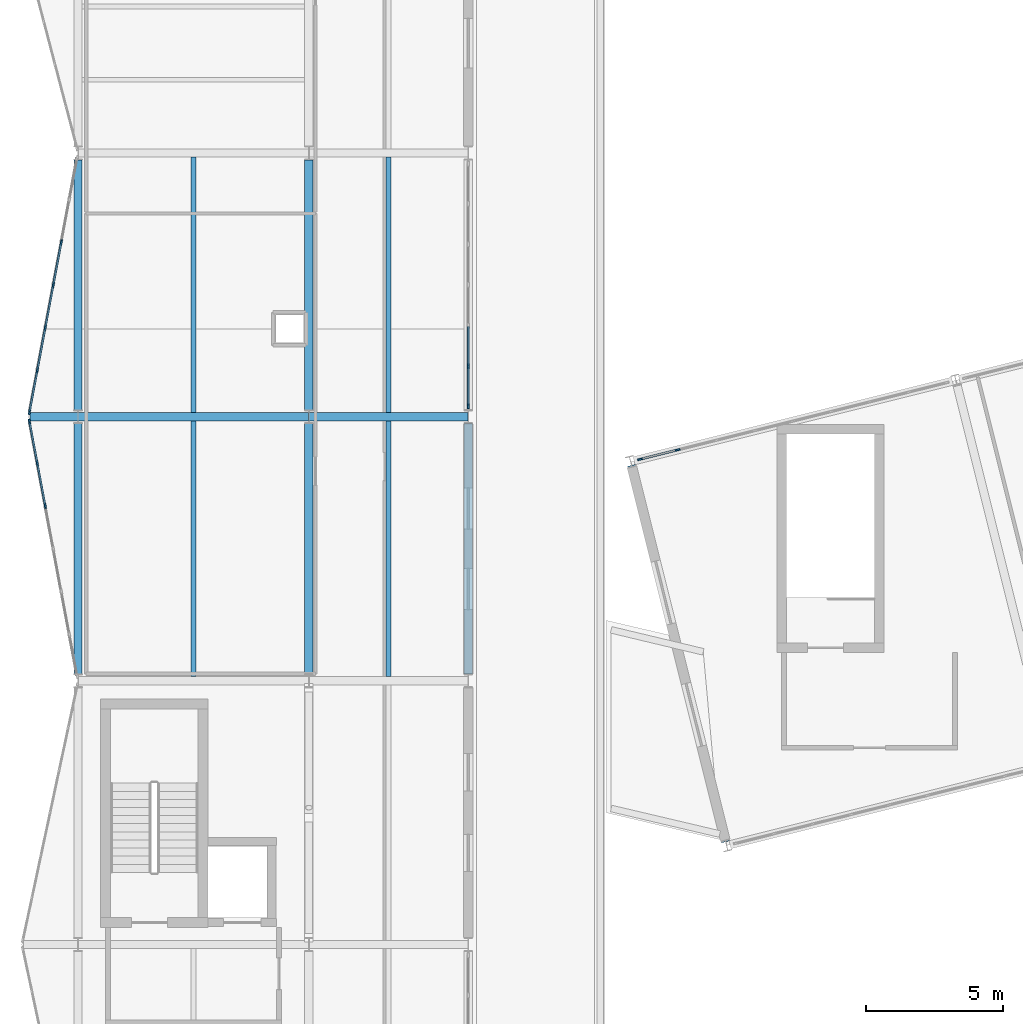
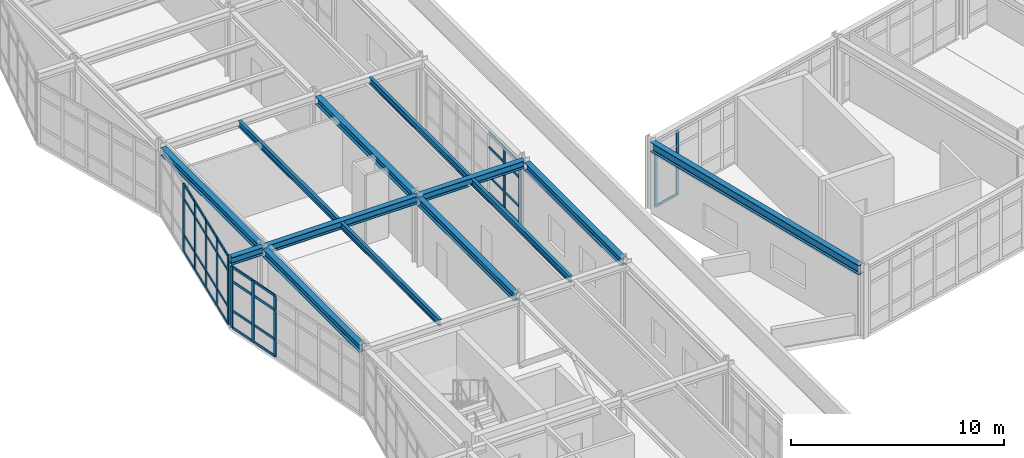
# One storey, part 13 of 64: 45 members, 13 beams, 4 elements without a shape of their own.
"""IFC4 building model written with IfcOpenShell, lengths in metres."""

from ifc_helpers import new_model, si_unit, direction, frame, origin, origin_2d, place, context, subcontext, project, spatial, rectangle, i_section, extrude, material, layer, layer_set, material_profile, profile_set, type_object, element, aggregate, save


model = new_model("IFC4")

# Units and contexts
model_context = context("Model", 3, precision=1e-05, world=origin(), true_north=direction((0.0, 1.0)))
body_context = subcontext(model_context, "Body", "Model", "MODEL_VIEW")
ifc_project = project(units=[si_unit("LENGTHUNIT", "METRE"), si_unit("AREAUNIT", "SQUARE_METRE"), si_unit("VOLUMEUNIT", "CUBIC_METRE"), si_unit("PLANEANGLEUNIT", "RADIAN"), si_unit("MASSUNIT", "GRAM", prefix="KILO")], contexts=[model_context])

# Site, building, storey
site_placement = place(None, origin())
site = spatial("IfcSite", under=ifc_project, at=site_placement, CompositionType="ELEMENT")
building_placement = place(site_placement, origin())
building = spatial("IfcBuilding", under=site, at=building_placement, Name="Nordkorset Police Headquarters", CompositionType="ELEMENT")
storey_placement = place(building_placement, frame((0.0, 0.0, 17.85009765625)))
storey = spatial("IfcBuildingStorey", under=building, at=storey_placement, Name="L04", CompositionType="ELEMENT", Elevation=17.85009765625)

# Beams
ifc_material_1 = material(Name="Steel S355J2", Category="steel")
ifc_material_profile_1 = material_profile(ifc_material_1, i_section(OverallWidth=0.169921875, OverallDepth=0.360107421875, WebThickness=0.008056640625, FlangeThickness=0.0126953125, FilletRadius=0.01806640625, at=origin_2d()), Name="IPE 360")
ifc_profile_set_1 = profile_set([ifc_material_profile_1], Name="Steel S355J2")
beam_type_1 = type_object("IfcBeamType", Name="Beam_IPE_360", PredefinedType="BEAM", material=ifc_profile_set_1)
for number, where, z_axis, x_axis, name in (
    (1, (4.199951171875, 48.14990234375, 3.809814453125), (0.0, 1.0, 0.0), (-1.0, 0.0, 0.0), "Composite Floor Beam V3 L04 0-2-1"),
    (2, (4.199951171875, 57.75, 3.809814453125), (0.0, 1.0, 0.0), (-1.0, 0.0, 0.0), "Composite Floor Beam V3 L04 0-3-1"),
    (3, (11.300048828125, 48.14990234375, 3.809814453125), (0.0, 1.0, 0.0), (-1.0, 0.0, 0.0), "Composite Floor Beam V3 L04 1-2-1"),
    (4, (11.300048828125, 57.75, 3.809814453125), (0.0, 1.0, 0.0), (-1.0, 0.0, 0.0), "Composite Floor Beam V3 L04 1-3-1"),
):
    element("IfcBeam", number, at=place(storey_placement, frame(where, z_axis=z_axis, x_axis=x_axis)), inside=storey, type_object=beam_type_1, Name=name, PredefinedType="BEAM", context=body_context, shape_type="SweptSolid", body=[
        extrude(i_section(OverallWidth=0.169921875, OverallDepth=0.360107421875, WebThickness=0.008056640625, FlangeThickness=0.0126953125, FilletRadius=0.01806640625, at=origin_2d()), origin(), (0.0, 0.0, 1.0), 9.300048828125),
    ])

# Curtain wall, members
ifc_material_2 = material(Name="Aluminium alloy AW-6060", Category="aluminium")
ifc_layer_1 = layer(ifc_material_2, 0.179931640625, Name="Aluminium alloy AW-6060")
ifc_layer_set_1 = layer_set([ifc_layer_1], Name="Aluminium alloy AW-6060")
curtain_wall_type_1 = type_object("IfcCurtainWallType", Name="CW_Unit_949x353", PredefinedType="USERDEFINED", material=ifc_layer_set_1)
curtain_wall_1_placement = place(storey_placement, origin())
curtain_wall_1 = element("IfcCurtainWall", 5, at=curtain_wall_1_placement, inside=storey, type_object=curtain_wall_type_1, Name="Unitised Curtain Wall L04 V3W-2", ObjectType="UNITISED CURTAIN WALL", PredefinedType="USERDEFINED")
ifc_material_3 = material(Name="Aluminium alloy AW-6060", Category="aluminium")
ifc_material_profile_2 = material_profile(ifc_material_3, rectangle(XDim=0.06494140625, YDim=0.179931640625, at=origin_2d()), Name="ALU MULL 65x180")
ifc_profile_set_2 = profile_set([ifc_material_profile_2], Name="Aluminium alloy AW-6060")
member_type_1 = type_object("IfcMemberType", Name="CW_Mullion_65x180", PredefinedType="MULLION", material=ifc_profile_set_2)
member_1_placement = place(storey_placement, frame((-1.19140625, 54.354248046875, 0.0), z_axis=(0.0, 0.0, 1.0), x_axis=(-0.982872186935, -0.184288535048, 0.0)))
member_1 = element("IfcMember", 6, at=member_1_placement, type_object=member_type_1, Name="CW-13 mullion 5", PredefinedType="MULLION", context=body_context, shape_type="SweptSolid", body=[
    extrude(rectangle(XDim=0.06494140625, YDim=0.179931640625, at=origin_2d()), origin(), (0.0, 0.0, 1.0), 3.52978515625),
])
member_2_placement = place(storey_placement, frame((-1.48291015625, 55.908203125, 0.0), z_axis=(0.0, 0.0, 1.0), x_axis=(-0.982872186935, -0.184288535048, 0.0)))
member_2 = element("IfcMember", 7, at=member_2_placement, type_object=member_type_1, Name="CW-13 mullion 6", PredefinedType="MULLION", context=body_context, shape_type="SweptSolid", body=[
    extrude(rectangle(XDim=0.06494140625, YDim=0.179931640625, at=origin_2d()), origin(), (0.0, 0.0, 1.0), 3.52978515625),
])
member_3_placement = place(storey_placement, frame((-1.768310546875, 57.430419921875, 0.0), z_axis=(0.0, 0.0, 1.0), x_axis=(-0.982872186935, -0.184288535048, 0.0)))
member_3 = element("IfcMember", 8, at=member_3_placement, type_object=member_type_1, Name="CW-13 mullion 7", PredefinedType="MULLION", context=body_context, shape_type="SweptSolid", body=[
    extrude(rectangle(XDim=0.06494140625, YDim=0.179931640625, at=origin_2d()), origin(), (0.0, 0.0, 1.0), 3.52978515625),
])

ifc_material_4 = material(Name="Aluminium alloy AW-6060", Category="aluminium")
ifc_layer_2 = layer(ifc_material_4, 0.179931640625, Name="Aluminium alloy AW-6060")
ifc_layer_set_2 = layer_set([ifc_layer_2], Name="Aluminium alloy AW-6060")
curtain_wall_type_2 = type_object("IfcCurtainWallType", Name="CW_Unit_949x392", PredefinedType="USERDEFINED", material=ifc_layer_set_2)
curtain_wall_2_placement = place(storey_placement, origin())
curtain_wall_2 = element("IfcCurtainWall", 9, at=curtain_wall_2_placement, inside=storey, type_object=curtain_wall_type_2, Name="Unitised Curtain Wall L04 V3W-3", ObjectType="UNITISED CURTAIN WALL", PredefinedType="USERDEFINED")
member_4_placement = place(storey_placement, frame((-1.768310546875, 57.76953125, 0.0), z_axis=(0.0, 0.0, 1.0), x_axis=(-0.982872186935, 0.184288535048, 0.0)))
member_4 = element("IfcMember", 10, at=member_4_placement, type_object=member_type_1, Name="CW-49 mullion 1", PredefinedType="MULLION", context=body_context, shape_type="SweptSolid", body=[
    extrude(rectangle(XDim=0.06494140625, YDim=0.179931640625, at=origin_2d()), origin(), (0.0, 0.0, 1.0), 3.919921875),
])
member_5_placement = place(storey_placement, frame((-1.48291015625, 59.291748046875, 0.0), z_axis=(0.0, 0.0, 1.0), x_axis=(-0.982872186935, 0.184288535048, 0.0)))
member_5 = element("IfcMember", 11, at=member_5_placement, type_object=member_type_1, Name="CW-49 mullion 2", PredefinedType="MULLION", context=body_context, shape_type="SweptSolid", body=[
    extrude(rectangle(XDim=0.06494140625, YDim=0.179931640625, at=origin_2d()), origin(), (0.0, 0.0, 1.0), 3.919921875),
])
member_6_placement = place(storey_placement, frame((-1.19140625, 60.845947265625, 0.0), z_axis=(0.0, 0.0, 1.0), x_axis=(-0.982872186935, 0.184288535048, 0.0)))
member_6 = element("IfcMember", 12, at=member_6_placement, type_object=member_type_1, Name="CW-49 mullion 3", PredefinedType="MULLION", context=body_context, shape_type="SweptSolid", body=[
    extrude(rectangle(XDim=0.06494140625, YDim=0.179931640625, at=origin_2d()), origin(), (0.0, 0.0, 1.0), 3.919921875),
])
member_7_placement = place(storey_placement, frame((-0.89990234375, 62.39990234375, 0.0), z_axis=(0.0, 0.0, 1.0), x_axis=(-0.982872186935, 0.184288535048, 0.0)))
member_7 = element("IfcMember", 13, at=member_7_placement, type_object=member_type_1, Name="CW-49 mullion 4", PredefinedType="MULLION", context=body_context, shape_type="SweptSolid", body=[
    extrude(rectangle(XDim=0.06494140625, YDim=0.179931640625, at=origin_2d()), origin(), (0.0, 0.0, 1.0), 3.919921875),
])
member_8_placement = place(storey_placement, frame((-0.608642578125, 63.9541015625, 0.0), z_axis=(0.0, 0.0, 1.0), x_axis=(-0.982872186935, 0.184288535048, 0.0)))
member_8 = element("IfcMember", 14, at=member_8_placement, type_object=member_type_1, Name="CW-49 mullion 5", PredefinedType="MULLION", context=body_context, shape_type="SweptSolid", body=[
    extrude(rectangle(XDim=0.06494140625, YDim=0.179931640625, at=origin_2d()), origin(), (0.0, 0.0, 1.0), 3.919921875),
])

ifc_material_5 = material(Name="Aluminium alloy AW-6060", Category="aluminium")
ifc_layer_3 = layer(ifc_material_5, 0.179931640625, Name="Aluminium alloy AW-6060")
ifc_layer_set_3 = layer_set([ifc_layer_3], Name="Aluminium alloy AW-6060")
curtain_wall_type_3 = type_object("IfcCurtainWallType", Name="CW_Unit_888x353", PredefinedType="USERDEFINED", material=ifc_layer_set_3)
curtain_wall_3_placement = place(storey_placement, origin())
curtain_wall_3 = element("IfcCurtainWall", 15, at=curtain_wall_3_placement, inside=storey, type_object=curtain_wall_type_3, Name="Unitised Curtain Wall L04 V3E-3", ObjectType="UNITISED CURTAIN WALL", PredefinedType="USERDEFINED")
member_9_placement = place(storey_placement, frame((14.199951171875, 57.992431640625, 0.0), z_axis=(0.0, 0.0, 1.0), x_axis=(-1.0, 0.0, 0.0)))
member_9 = element("IfcMember", 16, at=member_9_placement, type_object=member_type_1, Name="CW-52 mullion 1", PredefinedType="MULLION", context=body_context, shape_type="SweptSolid", body=[
    extrude(rectangle(XDim=0.06494140625, YDim=0.179931640625, at=origin_2d()), origin(), (0.0, 0.0, 1.0), 3.52978515625),
])
member_10_placement = place(storey_placement, frame((14.199951171875, 59.43994140625, 0.0), z_axis=(0.0, 0.0, 1.0), x_axis=(-1.0, 0.0, 0.0)))
member_10 = element("IfcMember", 17, at=member_10_placement, type_object=member_type_1, Name="CW-52 mullion 2", PredefinedType="MULLION", context=body_context, shape_type="SweptSolid", body=[
    extrude(rectangle(XDim=0.06494140625, YDim=0.179931640625, at=origin_2d()), origin(), (0.0, 0.0, 1.0), 3.52978515625),
])

ifc_material_6 = material(Name="Aluminium alloy AW-6060", Category="aluminium")
ifc_layer_4 = layer(ifc_material_6, 0.179931640625, Name="Aluminium alloy AW-6060")
ifc_layer_set_4 = layer_set([ifc_layer_4], Name="Aluminium alloy AW-6060")
curtain_wall_type_4 = type_object("IfcCurtainWallType", Name="CW_Unit_1156x369", PredefinedType="USERDEFINED", material=ifc_layer_set_4)
curtain_wall_4_placement = place(storey_placement, origin())
curtain_wall_4 = element("IfcCurtainWall", 18, at=curtain_wall_4_placement, inside=storey, type_object=curtain_wall_type_4, Name="Unitised Curtain Wall L04 V4N-0", ObjectType="UNITISED CURTAIN WALL", PredefinedType="USERDEFINED")
member_11_placement = place(storey_placement, frame((20.449462890625, 56.0556640625, 0.0), z_axis=(0.0, 0.0, 1.0), x_axis=(-0.242536235663, 0.970142347489, 0.0)))
member_11 = element("IfcMember", 19, at=member_11_placement, type_object=member_type_1, Name="CW-06 mullion 1", PredefinedType="MULLION", context=body_context, shape_type="SweptSolid", body=[
    extrude(rectangle(XDim=0.06494140625, YDim=0.179931640625, at=origin_2d()), origin(), (0.0, 0.0, 1.0), 3.69091796875),
])
member_12_placement = place(storey_placement, frame((21.81982421875, 56.398193359375, 0.0), z_axis=(0.0, 0.0, 1.0), x_axis=(-0.242536235663, 0.970142347489, 0.0)))
member_12 = element("IfcMember", 20, at=member_12_placement, type_object=member_type_1, Name="CW-06 mullion 2", PredefinedType="MULLION", context=body_context, shape_type="SweptSolid", body=[
    extrude(rectangle(XDim=0.06494140625, YDim=0.179931640625, at=origin_2d()), origin(), (0.0, 0.0, 1.0), 3.69091796875),
])

# Member
ifc_material_7 = material(Name="Aluminium alloy AW-6060", Category="aluminium")
ifc_material_profile_3 = material_profile(ifc_material_7, rectangle(XDim=0.06494140625, YDim=0.139892578125, at=origin_2d()), Name="ALU TRAN 65x140")
ifc_profile_set_3 = profile_set([ifc_material_profile_3], Name="Aluminium alloy AW-6060")
member_type_2 = type_object("IfcMemberType", Name="CW_Transom_65x140", PredefinedType="USERDEFINED", material=ifc_profile_set_3)
member_13_placement = place(storey_placement, frame((-1.197509765625, 54.385986328125, 0.032470703125), z_axis=(-0.184210757138, 0.982886767107, 0.0), x_axis=(-0.982886767107, -0.184210757138, 0.0)))
member_13 = element("IfcMember", 21, at=member_13_placement, type_object=member_type_2, Name="CW-13 transom 5.1", ObjectType="TRANSOM", PredefinedType="USERDEFINED", context=body_context, shape_type="SweptSolid", body=[
    extrude(rectangle(XDim=0.06494140625, YDim=0.139892578125, at=origin_2d()), origin(), (0.0, 0.0, 1.0), 1.51611328125),
])

member_14_placement = place(storey_placement, frame((-1.197509765625, 54.385986328125, 1.0), z_axis=(-0.184210757138, 0.982886767107, 0.0), x_axis=(-0.982886767107, -0.184210757138, 0.0)))
member_14 = element("IfcMember", 22, at=member_14_placement, type_object=member_type_2, Name="CW-13 transom 5.2", ObjectType="TRANSOM", PredefinedType="USERDEFINED", context=body_context, shape_type="SweptSolid", body=[
    extrude(rectangle(XDim=0.06494140625, YDim=0.139892578125, at=origin_2d()), origin(), (0.0, 0.0, 1.0), 1.51611328125),
])

member_15_placement = place(storey_placement, frame((-1.197509765625, 54.385986328125, 2.679931640625), z_axis=(-0.184210757138, 0.982886767107, 0.0), x_axis=(-0.982886767107, -0.184210757138, 0.0)))
member_15 = element("IfcMember", 23, at=member_15_placement, type_object=member_type_2, Name="CW-13 transom 5.3", ObjectType="TRANSOM", PredefinedType="USERDEFINED", context=body_context, shape_type="SweptSolid", body=[
    extrude(rectangle(XDim=0.06494140625, YDim=0.139892578125, at=origin_2d()), origin(), (0.0, 0.0, 1.0), 1.51611328125),
])

member_16_placement = place(storey_placement, frame((-1.197509765625, 54.385986328125, 3.497314453125), z_axis=(-0.184210757138, 0.982886767107, 0.0), x_axis=(-0.982886767107, -0.184210757138, 0.0)))
member_16 = element("IfcMember", 24, at=member_16_placement, type_object=member_type_2, Name="CW-13 transom 5.4", ObjectType="TRANSOM", PredefinedType="USERDEFINED", context=body_context, shape_type="SweptSolid", body=[
    extrude(rectangle(XDim=0.06494140625, YDim=0.139892578125, at=origin_2d()), origin(), (0.0, 0.0, 1.0), 1.51611328125),
])

member_17_placement = place(storey_placement, frame((-1.48876953125, 55.940185546875, 0.032470703125), z_axis=(-0.184298470268, 0.982870324029, 0.0), x_axis=(-0.982870324029, -0.184298470268, 0.0)))
member_17 = element("IfcMember", 25, at=member_17_placement, type_object=member_type_2, Name="CW-13 transom 6.1", ObjectType="TRANSOM", PredefinedType="USERDEFINED", context=body_context, shape_type="SweptSolid", body=[
    extrude(rectangle(XDim=0.06494140625, YDim=0.139892578125, at=origin_2d()), origin(), (0.0, 0.0, 1.0), 1.483642578125),
])

member_18_placement = place(storey_placement, frame((-1.48876953125, 55.940185546875, 1.0), z_axis=(-0.184298470268, 0.982870324029, 0.0), x_axis=(-0.982870324029, -0.184298470268, 0.0)))
member_18 = element("IfcMember", 26, at=member_18_placement, type_object=member_type_2, Name="CW-13 transom 6.2", ObjectType="TRANSOM", PredefinedType="USERDEFINED", context=body_context, shape_type="SweptSolid", body=[
    extrude(rectangle(XDim=0.06494140625, YDim=0.139892578125, at=origin_2d()), origin(), (0.0, 0.0, 1.0), 1.483642578125),
])

member_19_placement = place(storey_placement, frame((-1.48876953125, 55.940185546875, 2.679931640625), z_axis=(-0.184298470268, 0.982870324029, 0.0), x_axis=(-0.982870324029, -0.184298470268, 0.0)))
member_19 = element("IfcMember", 27, at=member_19_placement, type_object=member_type_2, Name="CW-13 transom 6.3", ObjectType="TRANSOM", PredefinedType="USERDEFINED", context=body_context, shape_type="SweptSolid", body=[
    extrude(rectangle(XDim=0.06494140625, YDim=0.139892578125, at=origin_2d()), origin(), (0.0, 0.0, 1.0), 1.483642578125),
])

member_20_placement = place(storey_placement, frame((-1.48876953125, 55.940185546875, 3.497314453125), z_axis=(-0.184298470268, 0.982870324029, 0.0), x_axis=(-0.982870324029, -0.184298470268, 0.0)))
member_20 = element("IfcMember", 28, at=member_20_placement, type_object=member_type_2, Name="CW-13 transom 6.4", ObjectType="TRANSOM", PredefinedType="USERDEFINED", context=body_context, shape_type="SweptSolid", body=[
    extrude(rectangle(XDim=0.06494140625, YDim=0.139892578125, at=origin_2d()), origin(), (0.0, 0.0, 1.0), 1.483642578125),
])

aggregate(curtain_wall_1, [member_1, member_2, member_3, member_13, member_14, member_15, member_16, member_17, member_18, member_19, member_20])

member_21_placement = place(storey_placement, frame((-1.76220703125, 57.801513671875, 0.032470703125), z_axis=(0.184298470268, 0.982870324029, 0.0), x_axis=(-0.982870324029, 0.184298470268, 0.0)))
member_21 = element("IfcMember", 29, at=member_21_placement, type_object=member_type_2, Name="CW-49 transom 1.1", ObjectType="TRANSOM", PredefinedType="USERDEFINED", context=body_context, shape_type="SweptSolid", body=[
    extrude(rectangle(XDim=0.06494140625, YDim=0.139892578125, at=origin_2d()), origin(), (0.0, 0.0, 1.0), 1.483642578125),
])

member_22_placement = place(storey_placement, frame((-1.76220703125, 57.801513671875, 1.0), z_axis=(0.184298470268, 0.982870324029, 0.0), x_axis=(-0.982870324029, 0.184298470268, 0.0)))
member_22 = element("IfcMember", 30, at=member_22_placement, type_object=member_type_2, Name="CW-49 transom 1.2", ObjectType="TRANSOM", PredefinedType="USERDEFINED", context=body_context, shape_type="SweptSolid", body=[
    extrude(rectangle(XDim=0.06494140625, YDim=0.139892578125, at=origin_2d()), origin(), (0.0, 0.0, 1.0), 1.483642578125),
])

member_23_placement = place(storey_placement, frame((-1.76220703125, 57.801513671875, 3.06982421875), z_axis=(0.184298470268, 0.982870324029, 0.0), x_axis=(-0.982870324029, 0.184298470268, 0.0)))
member_23 = element("IfcMember", 31, at=member_23_placement, type_object=member_type_2, Name="CW-49 transom 1.3", ObjectType="TRANSOM", PredefinedType="USERDEFINED", context=body_context, shape_type="SweptSolid", body=[
    extrude(rectangle(XDim=0.06494140625, YDim=0.139892578125, at=origin_2d()), origin(), (0.0, 0.0, 1.0), 1.483642578125),
])

member_24_placement = place(storey_placement, frame((-1.76220703125, 57.801513671875, 3.887451171875), z_axis=(0.184298470268, 0.982870324029, 0.0), x_axis=(-0.982870324029, 0.184298470268, 0.0)))
member_24 = element("IfcMember", 32, at=member_24_placement, type_object=member_type_2, Name="CW-49 transom 1.4", ObjectType="TRANSOM", PredefinedType="USERDEFINED", context=body_context, shape_type="SweptSolid", body=[
    extrude(rectangle(XDim=0.06494140625, YDim=0.139892578125, at=origin_2d()), origin(), (0.0, 0.0, 1.0), 1.483642578125),
])

member_25_placement = place(storey_placement, frame((-1.476806640625, 59.32373046875, 0.032470703125), z_axis=(0.184210757138, 0.982886767107, 0.0), x_axis=(-0.982886767107, 0.184210757138, 0.0)))
member_25 = element("IfcMember", 33, at=member_25_placement, type_object=member_type_2, Name="CW-49 transom 2.1", ObjectType="TRANSOM", PredefinedType="USERDEFINED", context=body_context, shape_type="SweptSolid", body=[
    extrude(rectangle(XDim=0.06494140625, YDim=0.139892578125, at=origin_2d()), origin(), (0.0, 0.0, 1.0), 1.51611328125),
])

member_26_placement = place(storey_placement, frame((-1.476806640625, 59.32373046875, 1.0), z_axis=(0.184210757138, 0.982886767107, 0.0), x_axis=(-0.982886767107, 0.184210757138, 0.0)))
member_26 = element("IfcMember", 34, at=member_26_placement, type_object=member_type_2, Name="CW-49 transom 2.2", ObjectType="TRANSOM", PredefinedType="USERDEFINED", context=body_context, shape_type="SweptSolid", body=[
    extrude(rectangle(XDim=0.06494140625, YDim=0.139892578125, at=origin_2d()), origin(), (0.0, 0.0, 1.0), 1.51611328125),
])

member_27_placement = place(storey_placement, frame((-1.476806640625, 59.32373046875, 3.06982421875), z_axis=(0.184210757138, 0.982886767107, 0.0), x_axis=(-0.982886767107, 0.184210757138, 0.0)))
member_27 = element("IfcMember", 35, at=member_27_placement, type_object=member_type_2, Name="CW-49 transom 2.3", ObjectType="TRANSOM", PredefinedType="USERDEFINED", context=body_context, shape_type="SweptSolid", body=[
    extrude(rectangle(XDim=0.06494140625, YDim=0.139892578125, at=origin_2d()), origin(), (0.0, 0.0, 1.0), 1.51611328125),
])

member_28_placement = place(storey_placement, frame((-1.476806640625, 59.32373046875, 3.887451171875), z_axis=(0.184210757138, 0.982886767107, 0.0), x_axis=(-0.982886767107, 0.184210757138, 0.0)))
member_28 = element("IfcMember", 36, at=member_28_placement, type_object=member_type_2, Name="CW-49 transom 2.4", ObjectType="TRANSOM", PredefinedType="USERDEFINED", context=body_context, shape_type="SweptSolid", body=[
    extrude(rectangle(XDim=0.06494140625, YDim=0.139892578125, at=origin_2d()), origin(), (0.0, 0.0, 1.0), 1.51611328125),
])

member_29_placement = place(storey_placement, frame((-1.185302734375, 60.8779296875, 0.032470703125), z_axis=(0.184210757138, 0.982886767107, 0.0), x_axis=(-0.982886767107, 0.184210757138, 0.0)))
member_29 = element("IfcMember", 37, at=member_29_placement, type_object=member_type_2, Name="CW-49 transom 3.1", ObjectType="TRANSOM", PredefinedType="USERDEFINED", context=body_context, shape_type="SweptSolid", body=[
    extrude(rectangle(XDim=0.06494140625, YDim=0.139892578125, at=origin_2d()), origin(), (0.0, 0.0, 1.0), 1.51611328125),
])

member_30_placement = place(storey_placement, frame((-1.185302734375, 60.8779296875, 1.0), z_axis=(0.184210757138, 0.982886767107, 0.0), x_axis=(-0.982886767107, 0.184210757138, 0.0)))
member_30 = element("IfcMember", 38, at=member_30_placement, type_object=member_type_2, Name="CW-49 transom 3.2", ObjectType="TRANSOM", PredefinedType="USERDEFINED", context=body_context, shape_type="SweptSolid", body=[
    extrude(rectangle(XDim=0.06494140625, YDim=0.139892578125, at=origin_2d()), origin(), (0.0, 0.0, 1.0), 1.51611328125),
])

member_31_placement = place(storey_placement, frame((-1.185302734375, 60.8779296875, 3.06982421875), z_axis=(0.184210757138, 0.982886767107, 0.0), x_axis=(-0.982886767107, 0.184210757138, 0.0)))
member_31 = element("IfcMember", 39, at=member_31_placement, type_object=member_type_2, Name="CW-49 transom 3.3", ObjectType="TRANSOM", PredefinedType="USERDEFINED", context=body_context, shape_type="SweptSolid", body=[
    extrude(rectangle(XDim=0.06494140625, YDim=0.139892578125, at=origin_2d()), origin(), (0.0, 0.0, 1.0), 1.51611328125),
])

member_32_placement = place(storey_placement, frame((-1.185302734375, 60.8779296875, 3.887451171875), z_axis=(0.184210757138, 0.982886767107, 0.0), x_axis=(-0.982886767107, 0.184210757138, 0.0)))
member_32 = element("IfcMember", 40, at=member_32_placement, type_object=member_type_2, Name="CW-49 transom 3.4", ObjectType="TRANSOM", PredefinedType="USERDEFINED", context=body_context, shape_type="SweptSolid", body=[
    extrude(rectangle(XDim=0.06494140625, YDim=0.139892578125, at=origin_2d()), origin(), (0.0, 0.0, 1.0), 1.51611328125),
])

member_33_placement = place(storey_placement, frame((-0.89404296875, 62.431884765625, 0.032470703125), z_axis=(0.1843663095, 0.98285760104, 0.0), x_axis=(-0.98285760104, 0.1843663095, 0.0)))
member_33 = element("IfcMember", 41, at=member_33_placement, type_object=member_type_2, Name="CW-49 transom 4.1", ObjectType="TRANSOM", PredefinedType="USERDEFINED", context=body_context, shape_type="SweptSolid", body=[
    extrude(rectangle(XDim=0.06494140625, YDim=0.139892578125, at=origin_2d()), origin(), (0.0, 0.0, 1.0), 1.51611328125),
])

member_34_placement = place(storey_placement, frame((-0.89404296875, 62.431884765625, 1.0), z_axis=(0.1843663095, 0.98285760104, 0.0), x_axis=(-0.98285760104, 0.1843663095, 0.0)))
member_34 = element("IfcMember", 42, at=member_34_placement, type_object=member_type_2, Name="CW-49 transom 4.2", ObjectType="TRANSOM", PredefinedType="USERDEFINED", context=body_context, shape_type="SweptSolid", body=[
    extrude(rectangle(XDim=0.06494140625, YDim=0.139892578125, at=origin_2d()), origin(), (0.0, 0.0, 1.0), 1.51611328125),
])

member_35_placement = place(storey_placement, frame((-0.89404296875, 62.431884765625, 3.06982421875), z_axis=(0.1843663095, 0.98285760104, 0.0), x_axis=(-0.98285760104, 0.1843663095, 0.0)))
member_35 = element("IfcMember", 43, at=member_35_placement, type_object=member_type_2, Name="CW-49 transom 4.3", ObjectType="TRANSOM", PredefinedType="USERDEFINED", context=body_context, shape_type="SweptSolid", body=[
    extrude(rectangle(XDim=0.06494140625, YDim=0.139892578125, at=origin_2d()), origin(), (0.0, 0.0, 1.0), 1.51611328125),
])

member_36_placement = place(storey_placement, frame((-0.89404296875, 62.431884765625, 3.887451171875), z_axis=(0.1843663095, 0.98285760104, 0.0), x_axis=(-0.98285760104, 0.1843663095, 0.0)))
member_36 = element("IfcMember", 44, at=member_36_placement, type_object=member_type_2, Name="CW-49 transom 4.4", ObjectType="TRANSOM", PredefinedType="USERDEFINED", context=body_context, shape_type="SweptSolid", body=[
    extrude(rectangle(XDim=0.06494140625, YDim=0.139892578125, at=origin_2d()), origin(), (0.0, 0.0, 1.0), 1.51611328125),
])

aggregate(curtain_wall_2, [member_4, member_5, member_6, member_7, member_8, member_21, member_22, member_23, member_24, member_25, member_26, member_27, member_28, member_29, member_30, member_31, member_32, member_33, member_34, member_35, member_36])

member_37_placement = place(storey_placement, frame((14.199951171875, 58.02490234375, 0.032470703125), z_axis=(0.0, 1.0, 0.0), x_axis=(-1.0, 0.0, 0.0)))
member_37 = element("IfcMember", 45, at=member_37_placement, type_object=member_type_2, Name="CW-52 transom 1.1", ObjectType="TRANSOM", PredefinedType="USERDEFINED", context=body_context, shape_type="SweptSolid", body=[
    extrude(rectangle(XDim=0.06494140625, YDim=0.139892578125, at=origin_2d()), origin(), (0.0, 0.0, 1.0), 1.382568359375),
])

member_38_placement = place(storey_placement, frame((14.199951171875, 58.02490234375, 1.0), z_axis=(0.0, 1.0, 0.0), x_axis=(-1.0, 0.0, 0.0)))
member_38 = element("IfcMember", 46, at=member_38_placement, type_object=member_type_2, Name="CW-52 transom 1.2", ObjectType="TRANSOM", PredefinedType="USERDEFINED", context=body_context, shape_type="SweptSolid", body=[
    extrude(rectangle(XDim=0.06494140625, YDim=0.139892578125, at=origin_2d()), origin(), (0.0, 0.0, 1.0), 1.382568359375),
])

member_39_placement = place(storey_placement, frame((14.199951171875, 58.02490234375, 2.679931640625), z_axis=(0.0, 1.0, 0.0), x_axis=(-1.0, 0.0, 0.0)))
member_39 = element("IfcMember", 47, at=member_39_placement, type_object=member_type_2, Name="CW-52 transom 1.3", ObjectType="TRANSOM", PredefinedType="USERDEFINED", context=body_context, shape_type="SweptSolid", body=[
    extrude(rectangle(XDim=0.06494140625, YDim=0.139892578125, at=origin_2d()), origin(), (0.0, 0.0, 1.0), 1.382568359375),
])

member_40_placement = place(storey_placement, frame((14.199951171875, 58.02490234375, 3.497314453125), z_axis=(0.0, 1.0, 0.0), x_axis=(-1.0, 0.0, 0.0)))
member_40 = element("IfcMember", 48, at=member_40_placement, type_object=member_type_2, Name="CW-52 transom 1.4", ObjectType="TRANSOM", PredefinedType="USERDEFINED", context=body_context, shape_type="SweptSolid", body=[
    extrude(rectangle(XDim=0.06494140625, YDim=0.139892578125, at=origin_2d()), origin(), (0.0, 0.0, 1.0), 1.382568359375),
])

member_41_placement = place(storey_placement, frame((14.199951171875, 59.472412109375, 0.032470703125), z_axis=(0.0, 1.0, 0.0), x_axis=(-1.0, 0.0, 0.0)))
member_41 = element("IfcMember", 49, at=member_41_placement, type_object=member_type_2, Name="CW-52 transom 2.1", ObjectType="TRANSOM", PredefinedType="USERDEFINED", context=body_context, shape_type="SweptSolid", body=[
    extrude(rectangle(XDim=0.06494140625, YDim=0.139892578125, at=origin_2d()), origin(), (0.0, 0.0, 1.0), 1.4150390625),
])

member_42_placement = place(storey_placement, frame((14.199951171875, 59.472412109375, 1.0), z_axis=(0.0, 1.0, 0.0), x_axis=(-1.0, 0.0, 0.0)))
member_42 = element("IfcMember", 50, at=member_42_placement, type_object=member_type_2, Name="CW-52 transom 2.2", ObjectType="TRANSOM", PredefinedType="USERDEFINED", context=body_context, shape_type="SweptSolid", body=[
    extrude(rectangle(XDim=0.06494140625, YDim=0.139892578125, at=origin_2d()), origin(), (0.0, 0.0, 1.0), 1.4150390625),
])

member_43_placement = place(storey_placement, frame((14.199951171875, 59.472412109375, 2.679931640625), z_axis=(0.0, 1.0, 0.0), x_axis=(-1.0, 0.0, 0.0)))
member_43 = element("IfcMember", 51, at=member_43_placement, type_object=member_type_2, Name="CW-52 transom 2.3", ObjectType="TRANSOM", PredefinedType="USERDEFINED", context=body_context, shape_type="SweptSolid", body=[
    extrude(rectangle(XDim=0.06494140625, YDim=0.139892578125, at=origin_2d()), origin(), (0.0, 0.0, 1.0), 1.4150390625),
])

member_44_placement = place(storey_placement, frame((14.199951171875, 59.472412109375, 3.497314453125), z_axis=(0.0, 1.0, 0.0), x_axis=(-1.0, 0.0, 0.0)))
member_44 = element("IfcMember", 52, at=member_44_placement, type_object=member_type_2, Name="CW-52 transom 2.4", ObjectType="TRANSOM", PredefinedType="USERDEFINED", context=body_context, shape_type="SweptSolid", body=[
    extrude(rectangle(XDim=0.06494140625, YDim=0.139892578125, at=origin_2d()), origin(), (0.0, 0.0, 1.0), 1.4150390625),
])

aggregate(curtain_wall_3, [member_9, member_10, member_37, member_38, member_39, member_40, member_41, member_42, member_43, member_44])

member_45_placement = place(storey_placement, frame((20.48095703125, 56.0634765625, 0.032470703125), z_axis=(0.970174463193, 0.242407737022, 0.0), x_axis=(-0.242407737022, 0.970174463193, 0.0)))
member_45 = element("IfcMember", 53, at=member_45_placement, type_object=member_type_2, Name="CW-06 transom 1.1", ObjectType="TRANSOM", PredefinedType="USERDEFINED", context=body_context, shape_type="SweptSolid", body=[
    extrude(rectangle(XDim=0.06494140625, YDim=0.139892578125, at=origin_2d()), origin(), (0.0, 0.0, 1.0), 1.34765625),
])

aggregate(curtain_wall_4, [member_11, member_12, member_45])

# Beams
ifc_material_8 = material(Name="Steel S355J2", Category="steel")
ifc_material_profile_4 = material_profile(ifc_material_8, i_section(OverallWidth=0.300048828125, OverallDepth=0.43994140625, WebThickness=0.011474609375, FlangeThickness=0.02099609375, FilletRadius=0.027099609375, at=origin_2d()), Name="HEA 450")
ifc_profile_set_4 = profile_set([ifc_material_profile_4], Name="Steel S355J2")
beam_type_2 = type_object("IfcBeamType", Name="Girder_HEA_450", PredefinedType="USERDEFINED", material=ifc_profile_set_4)
beam_1_placement = place(storey_placement, frame((0.00732421875, 57.60009765625, 3.77001953125), z_axis=(1.0, 0.0, 0.0), x_axis=(0.0, 1.0, 0.0)))
element("IfcBeam", 54, at=beam_1_placement, inside=storey, type_object=beam_type_2, Name="Girder V3 L04 GX-3-0", ObjectType="GIRDER", PredefinedType="USERDEFINED", context=body_context, shape_type="SweptSolid", body=[
    extrude(i_section(OverallWidth=0.300048828125, OverallDepth=0.43994140625, WebThickness=0.011474609375, FlangeThickness=0.02099609375, FilletRadius=0.027099609375, at=origin_2d()), origin(), (0.0, 0.0, 1.0), 8.38525390625),
])
beam_2_placement = place(storey_placement, frame((8.4072265625, 57.60009765625, 3.77001953125), z_axis=(1.0, 0.0, 0.0), x_axis=(0.0, 1.0, 0.0)))
element("IfcBeam", 55, at=beam_2_placement, inside=storey, type_object=beam_type_2, Name="Girder V3 L04 GX-3-1", ObjectType="GIRDER", PredefinedType="USERDEFINED", context=body_context, shape_type="SweptSolid", body=[
    extrude(i_section(OverallWidth=0.300048828125, OverallDepth=0.43994140625, WebThickness=0.011474609375, FlangeThickness=0.02099609375, FilletRadius=0.027099609375, at=origin_2d()), origin(), (0.0, 0.0, 1.0), 5.785400390625),
])
beam_3_placement = place(storey_placement, frame((0.0, 48.25, 3.77001953125), z_axis=(0.0, 1.0, 0.0), x_axis=(-1.0, 0.0, 0.0)))
element("IfcBeam", 56, at=beam_3_placement, inside=storey, type_object=beam_type_2, Name="Girder V3 L04 GY-0-2", ObjectType="GIRDER", PredefinedType="USERDEFINED", context=body_context, shape_type="SweptSolid", body=[
    extrude(i_section(OverallWidth=0.300048828125, OverallDepth=0.43994140625, WebThickness=0.011474609375, FlangeThickness=0.02099609375, FilletRadius=0.027099609375, at=origin_2d()), origin(), (0.0, 0.0, 1.0), 9.10009765625),
])
beam_4_placement = place(storey_placement, frame((0.0, 57.85009765625, 3.77001953125), z_axis=(0.0, 1.0, 0.0), x_axis=(-1.0, 0.0, 0.0)))
element("IfcBeam", 57, at=beam_4_placement, inside=storey, type_object=beam_type_2, Name="Girder V3 L04 GY-0-3", ObjectType="GIRDER", PredefinedType="USERDEFINED", context=body_context, shape_type="SweptSolid", body=[
    extrude(i_section(OverallWidth=0.300048828125, OverallDepth=0.43994140625, WebThickness=0.011474609375, FlangeThickness=0.02099609375, FilletRadius=0.027099609375, at=origin_2d()), origin(), (0.0, 0.0, 1.0), 9.099853515625),
])
beam_5_placement = place(storey_placement, frame((8.39990234375, 48.25, 3.77001953125), z_axis=(0.0, 1.0, 0.0), x_axis=(-1.0, 0.0, 0.0)))
element("IfcBeam", 58, at=beam_5_placement, inside=storey, type_object=beam_type_2, Name="Girder V3 L04 GY-1-2", ObjectType="GIRDER", PredefinedType="USERDEFINED", context=body_context, shape_type="SweptSolid", body=[
    extrude(i_section(OverallWidth=0.300048828125, OverallDepth=0.43994140625, WebThickness=0.011474609375, FlangeThickness=0.02099609375, FilletRadius=0.027099609375, at=origin_2d()), origin(), (0.0, 0.0, 1.0), 9.10009765625),
])
beam_6_placement = place(storey_placement, frame((8.39990234375, 57.85009765625, 3.77001953125), z_axis=(0.0, 1.0, 0.0), x_axis=(-1.0, 0.0, 0.0)))
element("IfcBeam", 59, at=beam_6_placement, inside=storey, type_object=beam_type_2, Name="Girder V3 L04 GY-1-3", ObjectType="GIRDER", PredefinedType="USERDEFINED", context=body_context, shape_type="SweptSolid", body=[
    extrude(i_section(OverallWidth=0.300048828125, OverallDepth=0.43994140625, WebThickness=0.011474609375, FlangeThickness=0.02099609375, FilletRadius=0.027099609375, at=origin_2d()), origin(), (0.0, 0.0, 1.0), 9.099853515625),
])
beam_7_placement = place(storey_placement, frame((14.199951171875, 48.25, 3.77001953125), z_axis=(0.0, 1.0, 0.0), x_axis=(-1.0, 0.0, 0.0)))
element("IfcBeam", 60, at=beam_7_placement, inside=storey, type_object=beam_type_2, Name="Girder V3 L04 GY-2-2", ObjectType="GIRDER", PredefinedType="USERDEFINED", context=body_context, shape_type="SweptSolid", body=[
    extrude(i_section(OverallWidth=0.300048828125, OverallDepth=0.43994140625, WebThickness=0.011474609375, FlangeThickness=0.02099609375, FilletRadius=0.027099609375, at=origin_2d()), origin(), (0.0, 0.0, 1.0), 9.10009765625),
])
beam_8_placement = place(storey_placement, frame((-0.00732421875, 57.60009765625, 3.77001953125), z_axis=(-1.0, 0.0, 0.0), x_axis=(0.0, -1.0, 0.0)))
element("IfcBeam", 61, at=beam_8_placement, inside=storey, type_object=beam_type_2, Name="Sawtooth Facade Outrigger V3 L04 57", ObjectType="GIRDER", PredefinedType="USERDEFINED", context=body_context, shape_type="SweptSolid", body=[
    extrude(i_section(OverallWidth=0.300048828125, OverallDepth=0.43994140625, WebThickness=0.011474609375, FlangeThickness=0.02099609375, FilletRadius=0.027099609375, at=origin_2d()), origin(), (0.0, 0.0, 1.0), 1.732666015625),
])
ifc_material_9 = material(Name="Steel S355J2", Category="steel")
ifc_material_profile_5 = material_profile(ifc_material_9, i_section(OverallWidth=0.300048828125, OverallDepth=0.5400390625, WebThickness=0.012451171875, FlangeThickness=0.02392578125, FilletRadius=0.027099609375, at=origin_2d()), Name="HEA 550")
ifc_profile_set_5 = profile_set([ifc_material_profile_5], Name="Steel S355J2")
beam_type_3 = type_object("IfcBeamType", Name="Girder_HEA_550", PredefinedType="USERDEFINED", material=ifc_profile_set_5)
beam_9_placement = place(storey_placement, frame((23.566162109375, 42.1357421875, 3.7509765625), z_axis=(-0.24254782991, 0.970139448845, 0.0), x_axis=(-0.970139448845, -0.24254782991, 0.0)))
element("IfcBeam", 62, at=beam_9_placement, inside=storey, type_object=beam_type_3, Name="Splayed Wing Transverse Girder L04 0", ObjectType="GIRDER", PredefinedType="USERDEFINED", context=body_context, shape_type="SweptSolid", body=[
    extrude(i_section(OverallWidth=0.300048828125, OverallDepth=0.5400390625, WebThickness=0.012451171875, FlangeThickness=0.02392578125, FilletRadius=0.027099609375, at=origin_2d()), origin(), (0.0, 0.0, 1.0), 14.1201171875),
])

save(model, "model.ifc")
